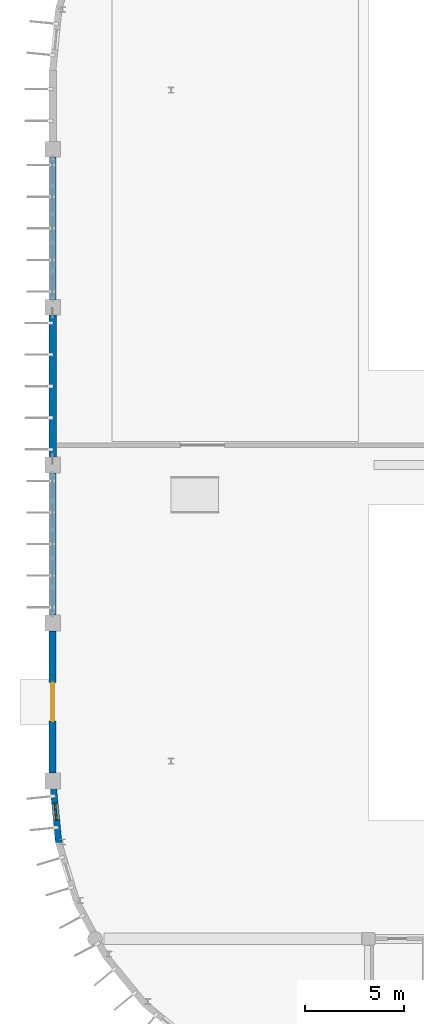
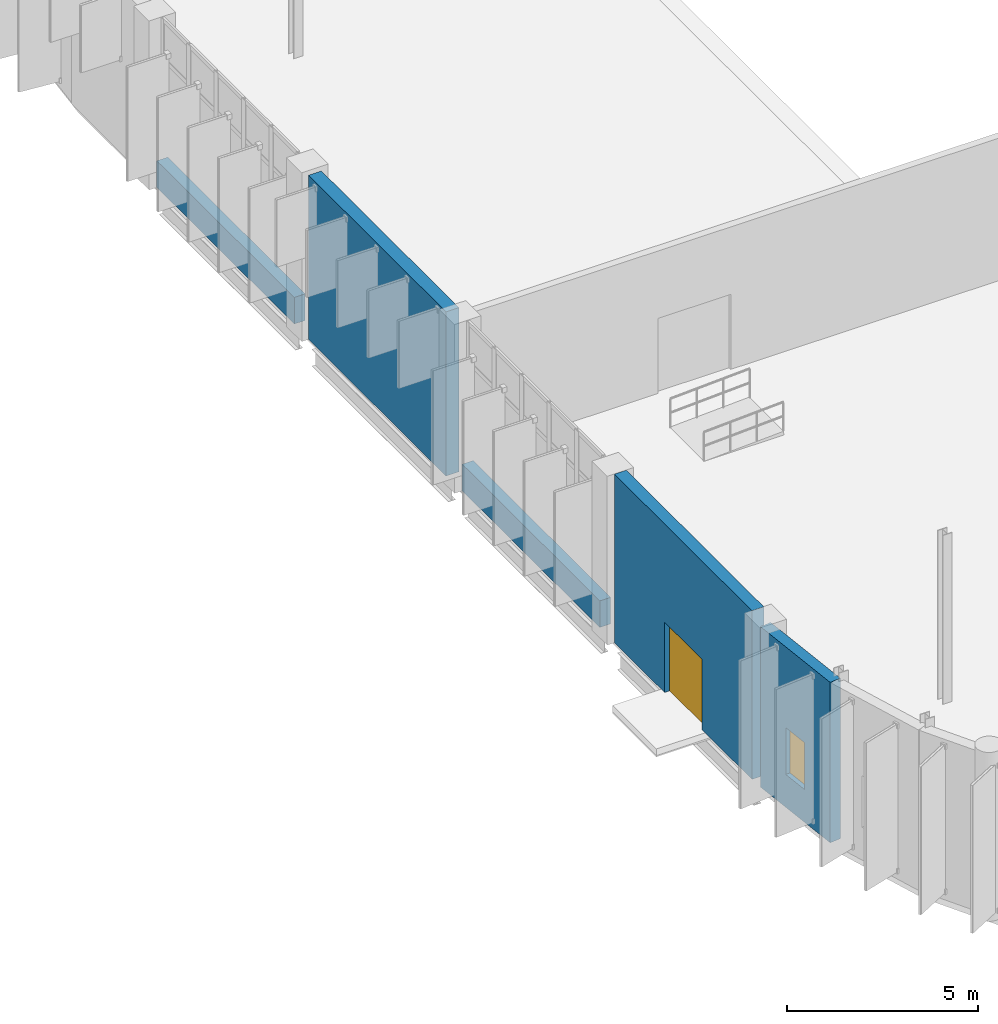
# One storey, part 72 of 103: 5 walls, 1 door, 1 window, 2 openings.
"""IFC4 building model written with IfcOpenShell, lengths in metres."""

from ifc_helpers import new_model, si_unit, direction, frame, frame_2d, origin, place, context, subcontext, project, spatial, rectangle, extrude, material, layer, layer_set, type_object, element, fill, save


model = new_model("IFC4")

# Units and contexts
model_context = context("Model", 3, precision=1e-05, world=origin(), true_north=direction((0.0, 1.0)))
body_context = subcontext(model_context, "Body", "Model", "MODEL_VIEW")
ifc_project = project(units=[si_unit("LENGTHUNIT", "METRE"), si_unit("AREAUNIT", "SQUARE_METRE"), si_unit("VOLUMEUNIT", "CUBIC_METRE"), si_unit("PLANEANGLEUNIT", "RADIAN"), si_unit("MASSUNIT", "GRAM", prefix="KILO")], contexts=[model_context])

# Site, building, storey
site_placement = place(None, origin())
site = spatial("IfcSite", under=ifc_project, at=site_placement, CompositionType="ELEMENT")
building_placement = place(site_placement, origin())
building = spatial("IfcBuilding", under=site, at=building_placement, Name="Drelvana Railside Aquatics Centre", CompositionType="ELEMENT")
storey_placement = place(building_placement, origin())
storey = spatial("IfcBuildingStorey", under=building, at=storey_placement, Name="L00", CompositionType="ELEMENT", Elevation=0.0)

# Walls
ifc_material_1 = material(Name="Abuja granite ashlar cavity wall", Category="masonry")
ifc_layer_1 = layer(ifc_material_1, 0.330078125, Name="Abuja granite ashlar cavity wall")
ifc_layer_set_1 = layer_set([ifc_layer_1], Name="Abuja granite ashlar cavity wall")
wall_type_1 = type_object("IfcWallType", Name="WL-EXT-330", PredefinedType="STANDARD", material=ifc_layer_set_1)
for number, where, z_axis, x_axis, name in (
    (1, (0.0, 40.39599609375, 0.0), (0.0, 0.0, 1.0), (0.0, 1.0, 0.0), "V1 West plinth wall"),
    (2, (0.0, 56.39599609375, 0.0), (0.0, 0.0, 1.0), (0.0, 1.0, 0.0), "V1 West plinth wall"),
):
    element("IfcWall", number, at=place(storey_placement, frame(where, z_axis=z_axis, x_axis=x_axis)), inside=storey, type_object=wall_type_1, Name=name, PredefinedType="STANDARD", context=body_context, shape_type="SweptSolid", body=[
        extrude(rectangle(XDim=7.2080078125, YDim=0.330078125, at=frame_2d((3.60400390625, 0.0))), origin(), (0.0, 0.0, 1.0), 0.85009765625),
    ])

# Wall, opening, window
wall_1_placement = place(storey_placement, frame((0.0, 32.0, 0.0), z_axis=(0.0, 0.0, 1.0), x_axis=(0.098000751113, -0.995186340733, 0.0)))
wall_1 = element("IfcWall", 3, at=wall_1_placement, inside=storey, type_object=wall_type_1, Name="V1SW curved stone wall 1", PredefinedType="STANDARD", context=body_context, shape_type="SweptSolid", body=[
    extrude(rectangle(XDim=3.136474609375, YDim=0.330078125, at=frame_2d((1.568359375, 0.0))), origin(), (0.0, 0.0, 1.0), 5.1298828125),
])
opening_1_placement = place(wall_1_placement, frame((1.143310546875, 0.0, 1.050048828125)))
opening_1 = element("IfcOpeningElement", 4, at=opening_1_placement, cuts=wall_1, Name="Opening W-01", PredefinedType="OPENING", context=body_context, shape_type="SweptSolid", body=[
    extrude(rectangle(XDim=0.85009765625, YDim=1.5, at=frame_2d((0.425048828125, 0.75))), frame((0.0, 0.175048828125, 0.0), z_axis=(0.0, -1.0, 0.0), x_axis=(1.0, 0.0, 0.0)), (0.0, 0.0, 1.0), 0.35009765625),
])
ifc_material_2 = material(Name="Double-glazed solar-control aluminium window", Category="aluminium")
window_type = type_object("IfcWindowType", Name="WIN-01", PartitioningType="SINGLE_PANEL", PredefinedType="WINDOW", material=ifc_material_2)
window_placement = place(opening_1_placement, origin())
window = element("IfcWindow", 5, at=window_placement, inside=storey, type_object=window_type, Name="Curved corner window WIN-01", OverallHeight=1.5, OverallWidth=0.85009765625, PartitioningType="SINGLE_PANEL", PredefinedType="WINDOW", context=body_context, shape_type="SweptSolid", body=[
    extrude(rectangle(XDim=0.85009765625, YDim=1.5, at=frame_2d((0.425048828125, 0.75))), frame((0.0, 0.030029296875, 0.0), z_axis=(0.0, -1.0, 0.0), x_axis=(1.0, 0.0, 0.0)), (0.0, 0.0, 1.0), 0.06005859375),
])
fill(opening_1, window)

# Wall, opening, door
ifc_material_3 = material(Name="Polychrome brick and stone cavity wall", Category="masonry")
ifc_layer_2 = layer(ifc_material_3, 0.360107421875, Name="Polychrome brick and stone cavity wall")
ifc_layer_set_2 = layer_set([ifc_layer_2], Name="Polychrome brick and stone cavity wall")
wall_type_2 = type_object("IfcWallType", Name="WL-EXT-360", PredefinedType="STANDARD", material=ifc_layer_set_2)
wall_2_placement = place(storey_placement, frame((0.0, 32.39599609375, 0.0), z_axis=(0.0, 0.0, 1.0), x_axis=(0.0, 1.0, 0.0)))
wall_2 = element("IfcWall", 6, at=wall_2_placement, inside=storey, type_object=wall_type_2, Name="V1 West pool deck exit bay", PredefinedType="STANDARD", context=body_context, shape_type="SweptSolid", body=[
    extrude(rectangle(XDim=7.2080078125, YDim=0.360107421875, at=frame_2d((3.60400390625, 0.0))), origin(), (0.0, 0.0, 1.0), 5.389892578125),
])
opening_2_placement = place(wall_2_placement, frame((2.62890625, 0.0, 0.0)))
opening_2 = element("IfcOpeningElement", 7, at=opening_2_placement, cuts=wall_2, Name="Opening EX-04-006", PredefinedType="OPENING", context=body_context, shape_type="SweptSolid", body=[
    extrude(rectangle(XDim=1.949951171875, YDim=2.25, at=frame_2d((0.97509765625, 1.125))), frame((0.0, 0.18994140625, 0.0), z_axis=(0.0, -1.0, 0.0), x_axis=(1.0, 0.0, 0.0)), (0.0, 0.0, 1.0), 0.380126953125),
])
ifc_material_4 = material(Name="Thermally broken bronze-anodised aluminium and glazed door", Category="aluminium")
door_type = type_object("IfcDoorType", Name="DR-EXT-EXIT-1950x2250", OperationType="DOUBLE_DOOR_SINGLE_SWING", PredefinedType="DOOR", material=ifc_material_4)
door_placement = place(opening_2_placement, origin())
door = element("IfcDoor", 8, at=door_placement, inside=storey, type_object=door_type, Name="West pool deck exit door EX-04-006", OperationType="DOUBLE_DOOR_SINGLE_SWING", OverallHeight=2.25, OverallWidth=1.949951171875, PredefinedType="DOOR", context=body_context, shape_type="SweptSolid", body=[
    extrude(rectangle(XDim=1.949951171875, YDim=2.25, at=frame_2d((0.97509765625, 1.125))), frame((0.0, 0.02490234375, 0.0), z_axis=(0.0, -1.0, 0.0), x_axis=(1.0, 0.0, 0.0)), (0.0, 0.0, 1.0), 0.050048828125),
])
fill(opening_2, door)

# Wall
ifc_material_5 = material(Name="Heavy thermal-mass stone facade wall", Category="masonry")
ifc_layer_3 = layer(ifc_material_5, 0.389892578125, Name="Heavy thermal-mass stone facade wall")
ifc_layer_set_3 = layer_set([ifc_layer_3], Name="Heavy thermal-mass stone facade wall")
wall_type_3 = type_object("IfcWallType", Name="WL-EXT-390", PredefinedType="STANDARD", material=ifc_layer_set_3)
wall_3_placement = place(storey_placement, frame((0.0, 48.39599609375, 0.0), z_axis=(0.0, 0.0, 1.0), x_axis=(0.0, 1.0, 0.0)))
element("IfcWall", 9, at=wall_3_placement, inside=storey, type_object=wall_type_3, Name="V1 West solid masonry bay 48", PredefinedType="STANDARD", context=body_context, shape_type="SweptSolid", body=[
    extrude(rectangle(XDim=7.2080078125, YDim=0.389892578125, at=frame_2d((3.60400390625, 0.0))), origin(), (0.0, 0.0, 1.0), 5.25),
])

save(model, "model.ifc")
